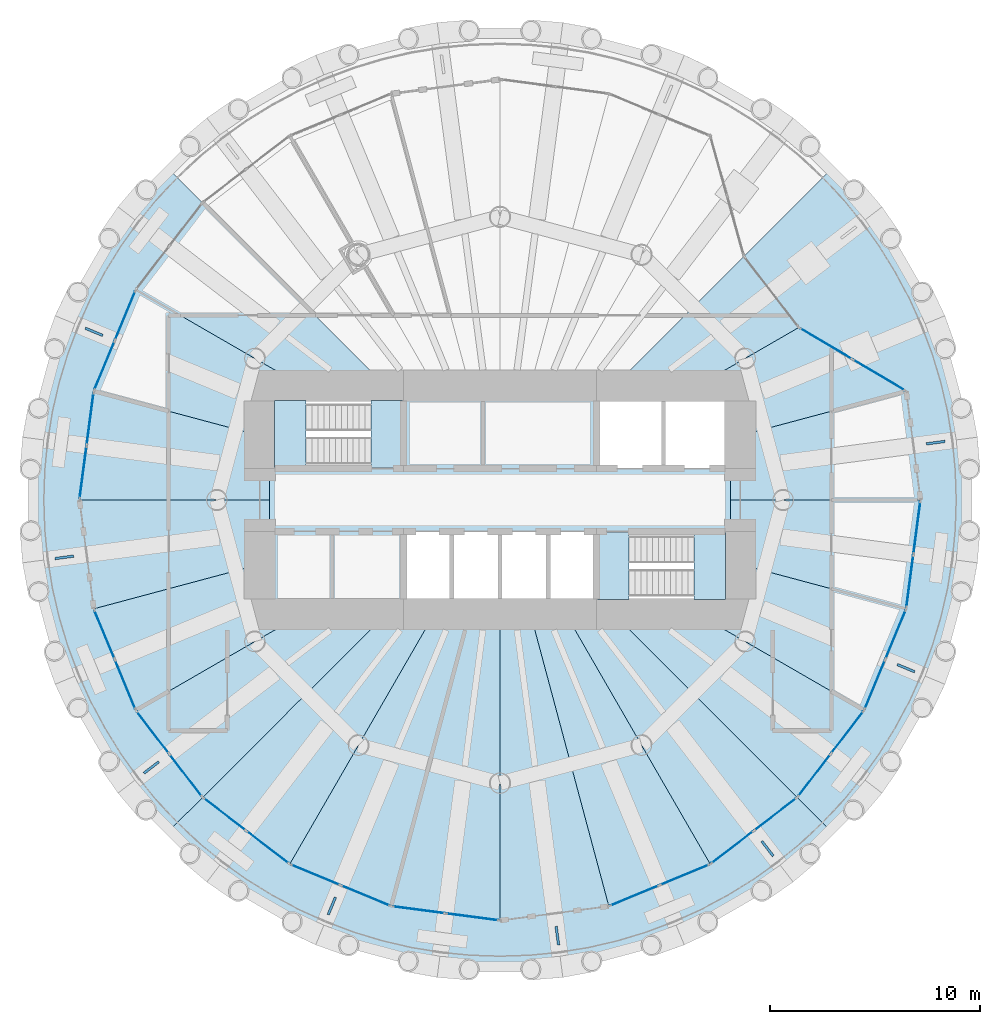
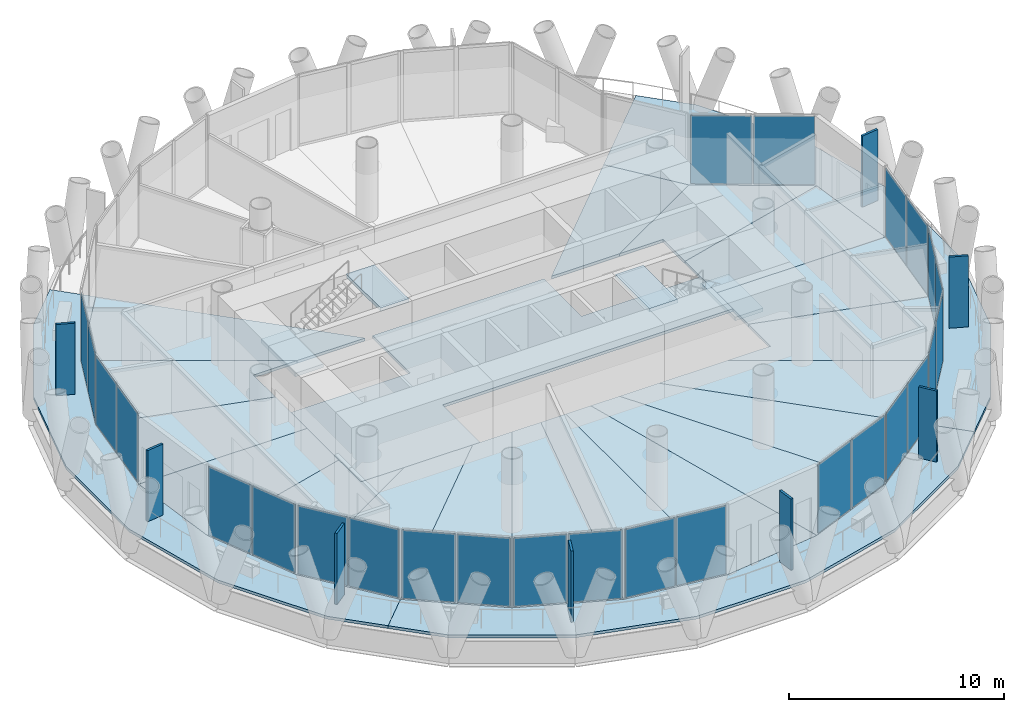
# One storey, part 7 of 14: 34 plates, 26 slabs, 15 elements without a shape of their own.
"""IFC4 building model written with IfcOpenShell, lengths in metres."""

from ifc_helpers import new_model, si_unit, direction, frame, origin, origin_2d, place, context, subcontext, project, spatial, polyline, rectangle, outline, extrude, material, layer, layer_set, type_object, element, aggregate, save


model = new_model("IFC4")

# Units and contexts
model_context = context("Model", 3, precision=1e-05, world=origin(), true_north=direction((0.0, 1.0)))
body_context = subcontext(model_context, "Body", "Model", "MODEL_VIEW")
ifc_project = project(units=[si_unit("LENGTHUNIT", "METRE"), si_unit("AREAUNIT", "SQUARE_METRE"), si_unit("VOLUMEUNIT", "CUBIC_METRE"), si_unit("PLANEANGLEUNIT", "RADIAN"), si_unit("MASSUNIT", "GRAM", prefix="KILO")], contexts=[model_context])

# Site, building, storey
site_placement = place(None, origin())
site = spatial("IfcSite", under=ifc_project, at=site_placement, CompositionType="ELEMENT")
building_placement = place(site_placement, origin())
building = spatial("IfcBuilding", under=site, at=building_placement, Name="Qaws Media Tower", CompositionType="ELEMENT")
storey_placement = place(building_placement, frame((0.0, 0.0, 236.0)))
storey = spatial("IfcBuildingStorey", under=building, at=storey_placement, Name="L54", CompositionType="ELEMENT", Elevation=236.0)

# Slabs
ifc_material_1 = material(Name="Concrete C35/45", Category="concrete")
ifc_layer_1 = layer(ifc_material_1, 0.159912109375)
ifc_layer_set_1 = layer_set([ifc_layer_1], Name="Composite balcony slab 160")
slab_type_1 = type_object("IfcSlabType", Name="Composite balcony slab 160", PredefinedType="FLOOR", material=ifc_layer_set_1)
slab_1_placement = place(storey_placement, frame((0.0, 0.0, -0.159912109375)))
element("IfcSlab", 1, at=slab_1_placement, inside=storey, type_object=slab_type_1, Name="S2 balcony slab L54 R10 to R16, movement joints on R10 and R16", PredefinedType="FLOOR", context=body_context, shape_type="SweptSolid", body=[
    extrude(outline(polyline([(42.189208984375, 36.333251953125), (39.2587890625, 41.40869140625), (37.7421875, 47.069580078125), (37.7421875, 52.930419921875), (39.2587890625, 58.59130859375), (42.189208984375, 63.666748046875), (44.26123046875, 65.73876953125), (45.822509765625, 64.177490234375), (42.63623046875, 60.02490234375), (40.63330078125, 55.189208984375), (39.949951171875, 50.0), (40.63330078125, 44.810791015625), (42.63623046875, 39.97509765625), (45.822509765625, 35.822509765625), (44.26123046875, 34.26123046875), (42.189208984375, 36.333251953125)])), origin(), (0.0, 0.0, 1.0), 0.159912109375),
])
slab_2_placement = place(storey_placement, frame((0.0, 0.0, -0.159912109375)))
element("IfcSlab", 2, at=slab_2_placement, inside=storey, type_object=slab_type_1, Name="S2 balcony slab L54 R16 to R22, movement joints on R16 and R22", PredefinedType="FLOOR", context=body_context, shape_type="SweptSolid", body=[
    extrude(outline(polyline([(73.666748046875, 32.189208984375), (68.59130859375, 29.2587890625), (62.930419921875, 27.7421875), (57.069580078125, 27.7421875), (51.40869140625, 29.2587890625), (46.333251953125, 32.189208984375), (44.26123046875, 34.26123046875), (45.822509765625, 35.822509765625), (49.97509765625, 32.63623046875), (54.810791015625, 30.63330078125), (60.0, 29.949951171875), (65.189208984375, 30.63330078125), (70.02490234375, 32.63623046875), (74.177490234375, 35.822509765625), (75.73876953125, 34.26123046875), (73.666748046875, 32.189208984375)])), origin(), (0.0, 0.0, 1.0), 0.159912109375),
])
slab_3_placement = place(storey_placement, frame((0.0, 0.0, -0.159912109375)))
element("IfcSlab", 3, at=slab_3_placement, inside=storey, type_object=slab_type_1, Name="S2 balcony slab L54 R22 to R04, movement joints on R22 and R04", PredefinedType="FLOOR", context=body_context, shape_type="SweptSolid", body=[
    extrude(outline(polyline([(80.7412109375, 41.40869140625), (77.810791015625, 36.333251953125), (75.73876953125, 34.26123046875), (74.177490234375, 35.822509765625), (77.36376953125, 39.97509765625), (79.36669921875, 44.810791015625), (80.050048828125, 50.0), (79.36669921875, 55.189208984375), (74.24609375, 58.22509765625), (71.6318359375, 61.6318359375), (75.73876953125, 65.73876953125), (77.810791015625, 63.666748046875), (80.7412109375, 58.59130859375), (82.2578125, 52.930419921875), (82.2578125, 47.069580078125), (80.7412109375, 41.40869140625)])), origin(), (0.0, 0.0, 1.0), 0.159912109375),
])
ifc_material_2 = material(Name="Concrete C35/45", Category="concrete")
ifc_layer_2 = layer(ifc_material_2, 0.159912109375)
ifc_layer_set_2 = layer_set([ifc_layer_2], Name="Composite floor slab 160")
slab_type_2 = type_object("IfcSlabType", Name="Composite floor slab 160", PredefinedType="FLOOR", material=ifc_layer_set_2)
slab_4_placement = place(storey_placement, frame((0.0, 0.0, -0.159912109375)))
element("IfcSlab", 4, at=slab_4_placement, inside=storey, type_object=slab_type_2, Name="S1 core floor slab L54", PredefinedType="FLOOR", context=body_context, shape_type="SweptSolid", body=[
    extrude(outline(polyline([(71.0, 51.5), (71.0, 48.5), (55.39990234375, 48.5), (55.39990234375, 45.0), (49.0, 45.0), (49.0, 51.5), (55.39990234375, 51.5), (55.39990234375, 55.0), (64.60009765625, 55.0), (64.60009765625, 51.5), (71.0, 51.5)])), origin(), (0.0, 0.0, 1.0), 0.159912109375),
])
slab_5_placement = place(storey_placement, frame((0.0, 0.0, -0.159912109375)))
element("IfcSlab", 5, at=slab_5_placement, inside=storey, type_object=slab_type_2, Name="S1 floor panel L54 on R01+7.5", PredefinedType="FLOOR", context=body_context, shape_type="SweptSolid", body=[
    extrude(outline(polyline([(79.36669921875, 55.189208984375), (80.050048828125, 50.0), (71.0, 50.0), (71.0, 52.947509765625), (79.36669921875, 55.189208984375)])), origin(), (0.0, 0.0, 1.0), 0.159912109375),
])
slab_6_placement = place(storey_placement, frame((0.0, 0.0, -0.159912109375)))
element("IfcSlab", 6, at=slab_6_placement, inside=storey, type_object=slab_type_2, Name="S1 floor panel L54 on R02+7.5", PredefinedType="FLOOR", context=body_context, shape_type="SweptSolid", body=[
    extrude(outline(polyline([(74.24609375, 58.22509765625), (79.36669921875, 55.189208984375), (71.0, 52.947509765625), (71.0, 55.0), (68.660400390625, 55.0), (74.24609375, 58.22509765625)])), origin(), (0.0, 0.0, 1.0), 0.159912109375),
])
slab_7_placement = place(storey_placement, frame((0.0, 0.0, -0.159912109375)))
element("IfcSlab", 7, at=slab_7_placement, inside=storey, type_object=slab_type_2, Name="S1 floor panel L54 on R03+7.5", PredefinedType="FLOOR", context=body_context, shape_type="SweptSolid", body=[
    extrude(outline(polyline([(74.24609375, 58.22509765625), (68.660400390625, 55.0), (65.0, 55.0), (71.6318359375, 61.6318359375), (74.24609375, 58.22509765625)])), origin(), (0.0, 0.0, 1.0), 0.159912109375),
])
slab_8_placement = place(storey_placement, frame((0.0, 0.0, -0.159912109375)))
element("IfcSlab", 8, at=slab_8_placement, inside=storey, type_object=slab_type_2, Name="S1 floor panel L54 on R10+7.5", PredefinedType="FLOOR", context=body_context, shape_type="SweptSolid", body=[
    extrude(outline(polyline([(42.63623046875, 60.02490234375), (45.822509765625, 64.177490234375), (55.0, 55.0), (51.339599609375, 55.0), (42.63623046875, 60.02490234375)])), origin(), (0.0, 0.0, 1.0), 0.159912109375),
])
slab_9_placement = place(storey_placement, frame((0.0, 0.0, -0.159912109375)))
element("IfcSlab", 9, at=slab_9_placement, inside=storey, type_object=slab_type_2, Name="S1 floor panel L54 on R11+7.5", PredefinedType="FLOOR", context=body_context, shape_type="SweptSolid", body=[
    extrude(outline(polyline([(42.63623046875, 60.02490234375), (51.339599609375, 55.0), (49.0, 55.0), (49.0, 52.947509765625), (40.63330078125, 55.189208984375), (42.63623046875, 60.02490234375)])), origin(), (0.0, 0.0, 1.0), 0.159912109375),
])
slab_10_placement = place(storey_placement, frame((0.0, 0.0, -0.159912109375)))
element("IfcSlab", 10, at=slab_10_placement, inside=storey, type_object=slab_type_2, Name="S1 floor panel L54 on R12+7.5", PredefinedType="FLOOR", context=body_context, shape_type="SweptSolid", body=[
    extrude(outline(polyline([(40.63330078125, 55.189208984375), (49.0, 52.947509765625), (49.0, 50.0), (39.949951171875, 50.0), (40.63330078125, 55.189208984375)])), origin(), (0.0, 0.0, 1.0), 0.159912109375),
])
slab_11_placement = place(storey_placement, frame((0.0, 0.0, -0.159912109375)))
element("IfcSlab", 11, at=slab_11_placement, inside=storey, type_object=slab_type_2, Name="S1 floor panel L54 on R13+7.5", PredefinedType="FLOOR", context=body_context, shape_type="SweptSolid", body=[
    extrude(outline(polyline([(40.63330078125, 44.810791015625), (39.949951171875, 50.0), (49.0, 50.0), (49.0, 47.052490234375), (40.63330078125, 44.810791015625)])), origin(), (0.0, 0.0, 1.0), 0.159912109375),
])
slab_12_placement = place(storey_placement, frame((0.0, 0.0, -0.159912109375)))
element("IfcSlab", 12, at=slab_12_placement, inside=storey, type_object=slab_type_2, Name="S1 floor panel L54 on R14+7.5", PredefinedType="FLOOR", context=body_context, shape_type="SweptSolid", body=[
    extrude(outline(polyline([(40.63330078125, 44.810791015625), (49.0, 47.052490234375), (49.0, 45.0), (51.339599609375, 45.0), (42.63623046875, 39.97509765625), (40.63330078125, 44.810791015625)])), origin(), (0.0, 0.0, 1.0), 0.159912109375),
])
slab_13_placement = place(storey_placement, frame((0.0, 0.0, -0.159912109375)))
element("IfcSlab", 13, at=slab_13_placement, inside=storey, type_object=slab_type_2, Name="S1 floor panel L54 on R15+7.5", PredefinedType="FLOOR", context=body_context, shape_type="SweptSolid", body=[
    extrude(outline(polyline([(42.63623046875, 39.97509765625), (51.339599609375, 45.0), (55.0, 45.0), (45.822509765625, 35.822509765625), (42.63623046875, 39.97509765625)])), origin(), (0.0, 0.0, 1.0), 0.159912109375),
])
slab_14_placement = place(storey_placement, frame((0.0, 0.0, -0.159912109375)))
element("IfcSlab", 14, at=slab_14_placement, inside=storey, type_object=slab_type_2, Name="S1 floor panel L54 on R16+7.5", PredefinedType="FLOOR", context=body_context, shape_type="SweptSolid", body=[
    extrude(outline(polyline([(49.97509765625, 32.63623046875), (45.822509765625, 35.822509765625), (55.0, 45.0), (57.11328125, 45.0), (49.97509765625, 32.63623046875)])), origin(), (0.0, 0.0, 1.0), 0.159912109375),
])
slab_15_placement = place(storey_placement, frame((0.0, 0.0, -0.159912109375)))
element("IfcSlab", 15, at=slab_15_placement, inside=storey, type_object=slab_type_2, Name="S1 floor panel L54 on R17+7.5", PredefinedType="FLOOR", context=body_context, shape_type="SweptSolid", body=[
    extrude(outline(polyline([(49.97509765625, 32.63623046875), (57.11328125, 45.0), (58.660400390625, 45.0), (54.810791015625, 30.63330078125), (49.97509765625, 32.63623046875)])), origin(), (0.0, 0.0, 1.0), 0.159912109375),
])
slab_16_placement = place(storey_placement, frame((0.0, 0.0, -0.159912109375)))
element("IfcSlab", 16, at=slab_16_placement, inside=storey, type_object=slab_type_2, Name="S1 floor panel L54 on R18+7.5", PredefinedType="FLOOR", context=body_context, shape_type="SweptSolid", body=[
    extrude(outline(polyline([(54.810791015625, 30.63330078125), (58.660400390625, 45.0), (60.0, 45.0), (60.0, 29.949951171875), (54.810791015625, 30.63330078125)])), origin(), (0.0, 0.0, 1.0), 0.159912109375),
])
slab_17_placement = place(storey_placement, frame((0.0, 0.0, -0.159912109375)))
element("IfcSlab", 17, at=slab_17_placement, inside=storey, type_object=slab_type_2, Name="S1 floor panel L54 on R19+7.5", PredefinedType="FLOOR", context=body_context, shape_type="SweptSolid", body=[
    extrude(outline(polyline([(65.189208984375, 30.63330078125), (60.0, 29.949951171875), (60.0, 45.0), (61.339599609375, 45.0), (65.189208984375, 30.63330078125)])), origin(), (0.0, 0.0, 1.0), 0.159912109375),
])
slab_18_placement = place(storey_placement, frame((0.0, 0.0, -0.159912109375)))
element("IfcSlab", 18, at=slab_18_placement, inside=storey, type_object=slab_type_2, Name="S1 floor panel L54 on R20+7.5", PredefinedType="FLOOR", context=body_context, shape_type="SweptSolid", body=[
    extrude(outline(polyline([(65.189208984375, 30.63330078125), (61.339599609375, 45.0), (62.88671875, 45.0), (70.02490234375, 32.63623046875), (65.189208984375, 30.63330078125)])), origin(), (0.0, 0.0, 1.0), 0.159912109375),
])
slab_19_placement = place(storey_placement, frame((0.0, 0.0, -0.159912109375)))
element("IfcSlab", 19, at=slab_19_placement, inside=storey, type_object=slab_type_2, Name="S1 floor panel L54 on R21+7.5", PredefinedType="FLOOR", context=body_context, shape_type="SweptSolid", body=[
    extrude(outline(polyline([(74.177490234375, 35.822509765625), (70.02490234375, 32.63623046875), (62.88671875, 45.0), (65.0, 45.0), (74.177490234375, 35.822509765625)])), origin(), (0.0, 0.0, 1.0), 0.159912109375),
])
slab_20_placement = place(storey_placement, frame((0.0, 0.0, -0.159912109375)))
element("IfcSlab", 20, at=slab_20_placement, inside=storey, type_object=slab_type_2, Name="S1 floor panel L54 on R22+7.5", PredefinedType="FLOOR", context=body_context, shape_type="SweptSolid", body=[
    extrude(outline(polyline([(77.36376953125, 39.97509765625), (74.177490234375, 35.822509765625), (65.0, 45.0), (68.660400390625, 45.0), (77.36376953125, 39.97509765625)])), origin(), (0.0, 0.0, 1.0), 0.159912109375),
])
slab_21_placement = place(storey_placement, frame((0.0, 0.0, -0.159912109375)))
element("IfcSlab", 21, at=slab_21_placement, inside=storey, type_object=slab_type_2, Name="S1 floor panel L54 on R23+7.5", PredefinedType="FLOOR", context=body_context, shape_type="SweptSolid", body=[
    extrude(outline(polyline([(77.36376953125, 39.97509765625), (68.660400390625, 45.0), (71.0, 45.0), (71.0, 47.052490234375), (79.36669921875, 44.810791015625), (77.36376953125, 39.97509765625)])), origin(), (0.0, 0.0, 1.0), 0.159912109375),
])
slab_22_placement = place(storey_placement, frame((0.0, 0.0, -0.159912109375)))
element("IfcSlab", 22, at=slab_22_placement, inside=storey, type_object=slab_type_2, Name="S1 floor panel L54 on R24+7.5", PredefinedType="FLOOR", context=body_context, shape_type="SweptSolid", body=[
    extrude(outline(polyline([(79.36669921875, 44.810791015625), (71.0, 47.052490234375), (71.0, 50.0), (80.050048828125, 50.0), (79.36669921875, 44.810791015625)])), origin(), (0.0, 0.0, 1.0), 0.159912109375),
])

# Curtain wall, plates
ifc_material_3 = material(Name="Aluminium and clear glass", Category="aluminium")
curtain_wall_type_1 = type_object("IfcCurtainWallType", Name="Loggia curtain wall CW-G", PredefinedType="NOTDEFINED", material=ifc_material_3)
curtain_wall_1_placement = place(storey_placement, origin())
curtain_wall_1 = element("IfcCurtainWall", 23, at=curtain_wall_1_placement, inside=storey, type_object=curtain_wall_type_1, Name="CWG curtain wall L54-02", PredefinedType="NOTDEFINED")
ifc_material_4 = material(Name="Clear laminated double glazing", Category="glass")
ifc_layer_3 = layer(ifc_material_4, 0.031982421875)
ifc_layer_set_3 = layer_set([ifc_layer_3], Name="Curtain wall glass unit 32")
plate_type_1 = type_object("IfcPlateType", Name="Curtain wall glass unit 32", PredefinedType="CURTAIN_PANEL", material=ifc_layer_set_3)
plate_1_placement = place(storey_placement, frame((78.0693359375, 55.95849609375, 0.080078125), z_axis=(0.0, 0.0, 1.0), x_axis=(-0.860203694862, 0.509950589122, 0.0)))
plate_1 = element("IfcPlate", 24, at=plate_1_placement, type_object=plate_type_1, Name="CWG panel 1.1", PredefinedType="CURTAIN_PANEL", context=body_context, shape_type="SweptSolid", body=[
    extrude(rectangle(XDim=2.8564453125, YDim=0.031982421875, at=origin_2d()), origin(), (0.0, 0.0, 1.0), 3.8798828125),
])
plate_2_placement = place(storey_placement, frame((75.54345703125, 57.455810546875, 0.080078125), z_axis=(0.0, 0.0, 1.0), x_axis=(-0.860203694862, 0.509950589122, 0.0)))
plate_2 = element("IfcPlate", 25, at=plate_2_placement, type_object=plate_type_1, Name="CWG panel 2.1", PredefinedType="CURTAIN_PANEL", context=body_context, shape_type="SweptSolid", body=[
    extrude(rectangle(XDim=2.8564453125, YDim=0.031982421875, at=origin_2d()), origin(), (0.0, 0.0, 1.0), 3.8798828125),
])
aggregate(curtain_wall_1, [plate_1, plate_2])

ifc_material_5 = material(Name="Aluminium and clear glass", Category="aluminium")
curtain_wall_type_2 = type_object("IfcCurtainWallType", Name="Unitised curtain wall CW-C", PredefinedType="NOTDEFINED", material=ifc_material_5)
curtain_wall_2_placement = place(storey_placement, origin())
curtain_wall_2 = element("IfcCurtainWall", 26, at=curtain_wall_2_placement, inside=storey, type_object=curtain_wall_type_2, Name="CWC curtain wall L54-11", PredefinedType="NOTDEFINED")
plate_3_placement = place(storey_placement, frame((42.127685546875, 58.797607421875, 0.080078125), z_axis=(0.0, 0.0, 1.0), x_axis=(-0.382683528436, -0.923879492717, 0.0)))
plate_3 = element("IfcPlate", 27, at=plate_3_placement, type_object=plate_type_1, Name="CWC panel 1.1", PredefinedType="CURTAIN_PANEL", context=body_context, shape_type="SweptSolid", body=[
    extrude(rectangle(XDim=2.4970703125, YDim=0.031982421875, at=origin_2d()), origin(), (0.0, 0.0, 1.0), 3.8798828125),
])
plate_4_placement = place(storey_placement, frame((41.1416015625, 56.416748046875, 0.080078125), z_axis=(0.0, 0.0, 1.0), x_axis=(-0.382683528436, -0.923879492717, 0.0)))
plate_4 = element("IfcPlate", 28, at=plate_4_placement, type_object=plate_type_1, Name="CWC panel 2.1", PredefinedType="CURTAIN_PANEL", context=body_context, shape_type="SweptSolid", body=[
    extrude(rectangle(XDim=2.4970703125, YDim=0.031982421875, at=origin_2d()), origin(), (0.0, 0.0, 1.0), 3.8798828125),
])
aggregate(curtain_wall_2, [plate_3, plate_4])

curtain_wall_3_placement = place(storey_placement, origin())
curtain_wall_3 = element("IfcCurtainWall", 29, at=curtain_wall_3_placement, inside=storey, type_object=curtain_wall_type_2, Name="CWC curtain wall L54-12", PredefinedType="NOTDEFINED")
plate_5_placement = place(storey_placement, frame((40.459716796875, 53.8720703125, 0.080078125), z_axis=(0.0, 0.0, 1.0), x_axis=(-0.130526154272, -0.99144486637, 0.0)))
plate_5 = element("IfcPlate", 30, at=plate_5_placement, type_object=plate_type_1, Name="CWC panel 1.1", PredefinedType="CURTAIN_PANEL", context=body_context, shape_type="SweptSolid", body=[
    extrude(rectangle(XDim=2.4970703125, YDim=0.031982421875, at=origin_2d()), origin(), (0.0, 0.0, 1.0), 3.8798828125),
])
plate_6_placement = place(storey_placement, frame((40.123291015625, 51.317138671875, 0.080078125), z_axis=(0.0, 0.0, 1.0), x_axis=(-0.130526154272, -0.99144486637, 0.0)))
plate_6 = element("IfcPlate", 31, at=plate_6_placement, type_object=plate_type_1, Name="CWC panel 2.1", PredefinedType="CURTAIN_PANEL", context=body_context, shape_type="SweptSolid", body=[
    extrude(rectangle(XDim=2.4970703125, YDim=0.031982421875, at=origin_2d()), origin(), (0.0, 0.0, 1.0), 3.8798828125),
])
aggregate(curtain_wall_3, [plate_5, plate_6])

curtain_wall_4_placement = place(storey_placement, origin())
curtain_wall_4 = element("IfcCurtainWall", 32, at=curtain_wall_4_placement, inside=storey, type_object=curtain_wall_type_2, Name="CWC curtain wall L54-14", PredefinedType="NOTDEFINED")
plate_7_placement = place(storey_placement, frame((41.1416015625, 43.583251953125, 0.080078125), z_axis=(0.0, 0.0, 1.0), x_axis=(0.382683528436, -0.923879492717, 0.0)))
plate_7 = element("IfcPlate", 33, at=plate_7_placement, type_object=plate_type_1, Name="CWC panel 1.1", PredefinedType="CURTAIN_PANEL", context=body_context, shape_type="SweptSolid", body=[
    extrude(rectangle(XDim=2.4970703125, YDim=0.031982421875, at=origin_2d()), origin(), (0.0, 0.0, 1.0), 3.8798828125),
])
plate_8_placement = place(storey_placement, frame((42.127685546875, 41.202392578125, 0.080078125), z_axis=(0.0, 0.0, 1.0), x_axis=(0.382683528436, -0.923879492717, 0.0)))
plate_8 = element("IfcPlate", 34, at=plate_8_placement, type_object=plate_type_1, Name="CWC panel 2.1", PredefinedType="CURTAIN_PANEL", context=body_context, shape_type="SweptSolid", body=[
    extrude(rectangle(XDim=2.4970703125, YDim=0.031982421875, at=origin_2d()), origin(), (0.0, 0.0, 1.0), 3.8798828125),
])
aggregate(curtain_wall_4, [plate_7, plate_8])

curtain_wall_5_placement = place(storey_placement, origin())
curtain_wall_5 = element("IfcCurtainWall", 35, at=curtain_wall_5_placement, inside=storey, type_object=curtain_wall_type_2, Name="CWC curtain wall L54-15", PredefinedType="NOTDEFINED")
plate_9_placement = place(storey_placement, frame((43.44482421875, 38.9208984375, 0.080078125), z_axis=(0.0, 0.0, 1.0), x_axis=(0.608761379507, -0.793353378275, 0.0)))
plate_9 = element("IfcPlate", 36, at=plate_9_placement, type_object=plate_type_1, Name="CWC panel 1.1", PredefinedType="CURTAIN_PANEL", context=body_context, shape_type="SweptSolid", body=[
    extrude(rectangle(XDim=2.4970703125, YDim=0.031982421875, at=origin_2d()), origin(), (0.0, 0.0, 1.0), 3.8798828125),
])
plate_10_placement = place(storey_placement, frame((45.013671875, 36.87646484375, 0.080078125), z_axis=(0.0, 0.0, 1.0), x_axis=(0.608761379507, -0.793353378275, 0.0)))
plate_10 = element("IfcPlate", 37, at=plate_10_placement, type_object=plate_type_1, Name="CWC panel 2.1", PredefinedType="CURTAIN_PANEL", context=body_context, shape_type="SweptSolid", body=[
    extrude(rectangle(XDim=2.4970703125, YDim=0.031982421875, at=origin_2d()), origin(), (0.0, 0.0, 1.0), 3.8798828125),
])
aggregate(curtain_wall_5, [plate_9, plate_10])

curtain_wall_6_placement = place(storey_placement, origin())
curtain_wall_6 = element("IfcCurtainWall", 38, at=curtain_wall_6_placement, inside=storey, type_object=curtain_wall_type_2, Name="CWC curtain wall L54-16", PredefinedType="NOTDEFINED")
plate_11_placement = place(storey_placement, frame((46.87646484375, 35.013671875, 0.080078125), z_axis=(0.0, 0.0, 1.0), x_axis=(0.793353378275, -0.608761379507, 0.0)))
plate_11 = element("IfcPlate", 39, at=plate_11_placement, type_object=plate_type_1, Name="CWC panel 1.1", PredefinedType="CURTAIN_PANEL", context=body_context, shape_type="SweptSolid", body=[
    extrude(rectangle(XDim=2.4970703125, YDim=0.031982421875, at=origin_2d()), origin(), (0.0, 0.0, 1.0), 3.8798828125),
])
plate_12_placement = place(storey_placement, frame((48.9208984375, 33.44482421875, 0.080078125), z_axis=(0.0, 0.0, 1.0), x_axis=(0.793353378275, -0.608761379507, 0.0)))
plate_12 = element("IfcPlate", 40, at=plate_12_placement, type_object=plate_type_1, Name="CWC panel 2.1", PredefinedType="CURTAIN_PANEL", context=body_context, shape_type="SweptSolid", body=[
    extrude(rectangle(XDim=2.4970703125, YDim=0.031982421875, at=origin_2d()), origin(), (0.0, 0.0, 1.0), 3.8798828125),
])
aggregate(curtain_wall_6, [plate_11, plate_12])

curtain_wall_7_placement = place(storey_placement, origin())
curtain_wall_7 = element("IfcCurtainWall", 41, at=curtain_wall_7_placement, inside=storey, type_object=curtain_wall_type_2, Name="CWC curtain wall L54-17", PredefinedType="NOTDEFINED")
plate_13_placement = place(storey_placement, frame((51.202392578125, 32.127685546875, 0.080078125), z_axis=(0.0, 0.0, 1.0), x_axis=(0.923879492717, -0.382683528436, 0.0)))
plate_13 = element("IfcPlate", 42, at=plate_13_placement, type_object=plate_type_1, Name="CWC panel 1.1", PredefinedType="CURTAIN_PANEL", context=body_context, shape_type="SweptSolid", body=[
    extrude(rectangle(XDim=2.4970703125, YDim=0.031982421875, at=origin_2d()), origin(), (0.0, 0.0, 1.0), 3.8798828125),
])
plate_14_placement = place(storey_placement, frame((53.583251953125, 31.1416015625, 0.080078125), z_axis=(0.0, 0.0, 1.0), x_axis=(0.923879492717, -0.382683528436, 0.0)))
plate_14 = element("IfcPlate", 43, at=plate_14_placement, type_object=plate_type_1, Name="CWC panel 2.1", PredefinedType="CURTAIN_PANEL", context=body_context, shape_type="SweptSolid", body=[
    extrude(rectangle(XDim=2.4970703125, YDim=0.031982421875, at=origin_2d()), origin(), (0.0, 0.0, 1.0), 3.8798828125),
])
aggregate(curtain_wall_7, [plate_13, plate_14])

curtain_wall_8_placement = place(storey_placement, origin())
curtain_wall_8 = element("IfcCurtainWall", 44, at=curtain_wall_8_placement, inside=storey, type_object=curtain_wall_type_2, Name="CWC curtain wall L54-18", PredefinedType="NOTDEFINED")
plate_15_placement = place(storey_placement, frame((56.1279296875, 30.459716796875, 0.080078125), z_axis=(0.0, 0.0, 1.0), x_axis=(0.99144486637, -0.130526154272, 0.0)))
plate_15 = element("IfcPlate", 45, at=plate_15_placement, type_object=plate_type_1, Name="CWC panel 1.1", PredefinedType="CURTAIN_PANEL", context=body_context, shape_type="SweptSolid", body=[
    extrude(rectangle(XDim=2.4970703125, YDim=0.031982421875, at=origin_2d()), origin(), (0.0, 0.0, 1.0), 3.8798828125),
])
plate_16_placement = place(storey_placement, frame((58.682861328125, 30.123291015625, 0.080078125), z_axis=(0.0, 0.0, 1.0), x_axis=(0.99144486637, -0.130526154272, 0.0)))
plate_16 = element("IfcPlate", 46, at=plate_16_placement, type_object=plate_type_1, Name="CWC panel 2.1", PredefinedType="CURTAIN_PANEL", context=body_context, shape_type="SweptSolid", body=[
    extrude(rectangle(XDim=2.4970703125, YDim=0.031982421875, at=origin_2d()), origin(), (0.0, 0.0, 1.0), 3.8798828125),
])
aggregate(curtain_wall_8, [plate_15, plate_16])

curtain_wall_9_placement = place(storey_placement, origin())
curtain_wall_9 = element("IfcCurtainWall", 47, at=curtain_wall_9_placement, inside=storey, type_object=curtain_wall_type_2, Name="CWC curtain wall L54-20", PredefinedType="NOTDEFINED")
plate_17_placement = place(storey_placement, frame((66.416748046875, 31.1416015625, 0.080078125), z_axis=(0.0, 0.0, 1.0), x_axis=(0.923879492717, 0.382683528436, 0.0)))
plate_17 = element("IfcPlate", 48, at=plate_17_placement, type_object=plate_type_1, Name="CWC panel 1.1", PredefinedType="CURTAIN_PANEL", context=body_context, shape_type="SweptSolid", body=[
    extrude(rectangle(XDim=2.4970703125, YDim=0.031982421875, at=origin_2d()), origin(), (0.0, 0.0, 1.0), 3.8798828125),
])
plate_18_placement = place(storey_placement, frame((68.797607421875, 32.127685546875, 0.080078125), z_axis=(0.0, 0.0, 1.0), x_axis=(0.923879492717, 0.382683528436, 0.0)))
plate_18 = element("IfcPlate", 49, at=plate_18_placement, type_object=plate_type_1, Name="CWC panel 2.1", PredefinedType="CURTAIN_PANEL", context=body_context, shape_type="SweptSolid", body=[
    extrude(rectangle(XDim=2.4970703125, YDim=0.031982421875, at=origin_2d()), origin(), (0.0, 0.0, 1.0), 3.8798828125),
])
aggregate(curtain_wall_9, [plate_17, plate_18])

curtain_wall_10_placement = place(storey_placement, origin())
curtain_wall_10 = element("IfcCurtainWall", 50, at=curtain_wall_10_placement, inside=storey, type_object=curtain_wall_type_2, Name="CWC curtain wall L54-21", PredefinedType="NOTDEFINED")
plate_19_placement = place(storey_placement, frame((71.0791015625, 33.44482421875, 0.080078125), z_axis=(0.0, 0.0, 1.0), x_axis=(0.793353378275, 0.608761379507, 0.0)))
plate_19 = element("IfcPlate", 51, at=plate_19_placement, type_object=plate_type_1, Name="CWC panel 1.1", PredefinedType="CURTAIN_PANEL", context=body_context, shape_type="SweptSolid", body=[
    extrude(rectangle(XDim=2.4970703125, YDim=0.031982421875, at=origin_2d()), origin(), (0.0, 0.0, 1.0), 3.8798828125),
])
plate_20_placement = place(storey_placement, frame((73.12353515625, 35.013671875, 0.080078125), z_axis=(0.0, 0.0, 1.0), x_axis=(0.793353378275, 0.608761379507, 0.0)))
plate_20 = element("IfcPlate", 52, at=plate_20_placement, type_object=plate_type_1, Name="CWC panel 2.1", PredefinedType="CURTAIN_PANEL", context=body_context, shape_type="SweptSolid", body=[
    extrude(rectangle(XDim=2.4970703125, YDim=0.031982421875, at=origin_2d()), origin(), (0.0, 0.0, 1.0), 3.8798828125),
])
aggregate(curtain_wall_10, [plate_19, plate_20])

curtain_wall_11_placement = place(storey_placement, origin())
curtain_wall_11 = element("IfcCurtainWall", 53, at=curtain_wall_11_placement, inside=storey, type_object=curtain_wall_type_2, Name="CWC curtain wall L54-22", PredefinedType="NOTDEFINED")
plate_21_placement = place(storey_placement, frame((74.986328125, 36.87646484375, 0.080078125), z_axis=(0.0, 0.0, 1.0), x_axis=(0.608761379507, 0.793353378275, 0.0)))
plate_21 = element("IfcPlate", 54, at=plate_21_placement, type_object=plate_type_1, Name="CWC panel 1.1", PredefinedType="CURTAIN_PANEL", context=body_context, shape_type="SweptSolid", body=[
    extrude(rectangle(XDim=2.4970703125, YDim=0.031982421875, at=origin_2d()), origin(), (0.0, 0.0, 1.0), 3.8798828125),
])
plate_22_placement = place(storey_placement, frame((76.55517578125, 38.9208984375, 0.080078125), z_axis=(0.0, 0.0, 1.0), x_axis=(0.608761379507, 0.793353378275, 0.0)))
plate_22 = element("IfcPlate", 55, at=plate_22_placement, type_object=plate_type_1, Name="CWC panel 2.1", PredefinedType="CURTAIN_PANEL", context=body_context, shape_type="SweptSolid", body=[
    extrude(rectangle(XDim=2.4970703125, YDim=0.031982421875, at=origin_2d()), origin(), (0.0, 0.0, 1.0), 3.8798828125),
])
aggregate(curtain_wall_11, [plate_21, plate_22])

curtain_wall_12_placement = place(storey_placement, origin())
curtain_wall_12 = element("IfcCurtainWall", 56, at=curtain_wall_12_placement, inside=storey, type_object=curtain_wall_type_2, Name="CWC curtain wall L54-23", PredefinedType="NOTDEFINED")
plate_23_placement = place(storey_placement, frame((77.872314453125, 41.202392578125, 0.080078125), z_axis=(0.0, 0.0, 1.0), x_axis=(0.382683528436, 0.923879492717, 0.0)))
plate_23 = element("IfcPlate", 57, at=plate_23_placement, type_object=plate_type_1, Name="CWC panel 1.1", PredefinedType="CURTAIN_PANEL", context=body_context, shape_type="SweptSolid", body=[
    extrude(rectangle(XDim=2.4970703125, YDim=0.031982421875, at=origin_2d()), origin(), (0.0, 0.0, 1.0), 3.8798828125),
])
plate_24_placement = place(storey_placement, frame((78.8583984375, 43.583251953125, 0.080078125), z_axis=(0.0, 0.0, 1.0), x_axis=(0.382683528436, 0.923879492717, 0.0)))
plate_24 = element("IfcPlate", 58, at=plate_24_placement, type_object=plate_type_1, Name="CWC panel 2.1", PredefinedType="CURTAIN_PANEL", context=body_context, shape_type="SweptSolid", body=[
    extrude(rectangle(XDim=2.4970703125, YDim=0.031982421875, at=origin_2d()), origin(), (0.0, 0.0, 1.0), 3.8798828125),
])
aggregate(curtain_wall_12, [plate_23, plate_24])

curtain_wall_13_placement = place(storey_placement, origin())
curtain_wall_13 = element("IfcCurtainWall", 59, at=curtain_wall_13_placement, inside=storey, type_object=curtain_wall_type_2, Name="CWC curtain wall L54-24", PredefinedType="NOTDEFINED")
plate_25_placement = place(storey_placement, frame((79.540283203125, 46.1279296875, 0.080078125), z_axis=(0.0, 0.0, 1.0), x_axis=(0.130526154272, 0.99144486637, 0.0)))
plate_25 = element("IfcPlate", 60, at=plate_25_placement, type_object=plate_type_1, Name="CWC panel 1.1", PredefinedType="CURTAIN_PANEL", context=body_context, shape_type="SweptSolid", body=[
    extrude(rectangle(XDim=2.4970703125, YDim=0.031982421875, at=origin_2d()), origin(), (0.0, 0.0, 1.0), 3.8798828125),
])
plate_26_placement = place(storey_placement, frame((79.876708984375, 48.682861328125, 0.080078125), z_axis=(0.0, 0.0, 1.0), x_axis=(0.130526154272, 0.99144486637, 0.0)))
plate_26 = element("IfcPlate", 61, at=plate_26_placement, type_object=plate_type_1, Name="CWC panel 2.1", PredefinedType="CURTAIN_PANEL", context=body_context, shape_type="SweptSolid", body=[
    extrude(rectangle(XDim=2.4970703125, YDim=0.031982421875, at=origin_2d()), origin(), (0.0, 0.0, 1.0), 3.8798828125),
])
aggregate(curtain_wall_13, [plate_25, plate_26])

# Plates
ifc_material_6 = material(Name="Precast concrete screen fin", Category="concrete")
ifc_layer_4 = layer(ifc_material_6, 0.1201171875)
ifc_layer_set_4 = layer_set([ifc_layer_4], Name="Screen fin 120x900")
plate_type_2 = type_object("IfcPlateType", Name="Screen fin 120x900", PredefinedType="USERDEFINED", material=ifc_layer_set_4)
for number, where, z_axis, x_axis, name in (
    (62, (80.770751953125, 52.734619140625, 0.0), (0.0, 0.0, 1.0), (0.991444861374, 0.13052619222, 0.0), "SCR1 screen fin L54-01"),
    (63, (40.644775390625, 58.017333984375, 0.0), (0.0, 0.0, 1.0), (-0.923879532511, 0.382683432365, 0.0), "SCR1 screen fin L54-06"),
    (64, (39.229248046875, 47.265380859375, 0.0), (0.0, 0.0, 1.0), (-0.991444861374, -0.13052619222, 0.0), "SCR1 screen fin L54-07"),
    (65, (43.379150390625, 37.246337890625, 0.0), (0.0, 0.0, 1.0), (-0.793353340291, -0.608761429009, 0.0), "SCR1 screen fin L54-08"),
    (66, (51.982666015625, 30.644775390625, 0.0), (0.0, 0.0, 1.0), (-0.382683432365, -0.923879532511, 0.0), "SCR1 screen fin L54-09"),
    (67, (62.734619140625, 29.229248046875, 0.0), (0.0, 0.0, 1.0), (0.13052619222, -0.991444861374, 0.0), "SCR1 screen fin L54-10"),
    (68, (72.753662109375, 33.379150390625, 0.0), (0.0, 0.0, 1.0), (0.608761429009, -0.793353340291, 0.0), "SCR1 screen fin L54-11"),
    (69, (79.355224609375, 41.982666015625, 0.0), (0.0, 0.0, 1.0), (0.923879532511, -0.382683432365, 0.0), "SCR1 screen fin L54-12"),
):
    element("IfcPlate", number, at=place(storey_placement, frame(where, z_axis=z_axis, x_axis=x_axis)), inside=storey, type_object=plate_type_2, Name=name, ObjectType="SCREEN", PredefinedType="USERDEFINED", context=body_context, shape_type="SweptSolid", body=[
        extrude(rectangle(XDim=0.89990234375, YDim=0.1201171875, at=origin_2d()), origin(), (0.0, 0.0, 1.0), 4.0400390625),
    ])

# Stair, slabs
ifc_material_7 = material(Name="Concrete C40/50", Category="concrete")
stair_type = type_object("IfcStairType", Name="Exit stair", PredefinedType="HALF_TURN_STAIR", material=ifc_material_7)
stair_1_placement = place(storey_placement, origin())
stair_1 = element("IfcStair", 70, at=stair_1_placement, inside=storey, type_object=stair_type, Name="S1 exit stair L54", PredefinedType="HALF_TURN_STAIR")
ifc_material_8 = material(Name="Concrete C40/50", Category="concrete")
ifc_layer_5 = layer(ifc_material_8, 0.199951171875)
ifc_layer_set_5 = layer_set([ifc_layer_5], Name="Stair landing 200")
slab_type_3 = type_object("IfcSlabType", Name="Stair landing 200", PredefinedType="LANDING", material=ifc_layer_set_5)
slab_23_placement = place(storey_placement, frame((0.0, 0.0, 1.89990234375)))
slab_23 = element("IfcSlab", 71, at=slab_23_placement, type_object=slab_type_3, Name="S1 landing 1", PredefinedType="LANDING", context=body_context, shape_type="SweptSolid", body=[
    extrude(outline(polyline([(49.25, 51.550048828125), (50.760009765625, 51.550048828125), (50.760009765625, 54.75), (49.25, 54.75), (49.25, 51.550048828125)])), origin(), (0.0, 0.0, 1.0), 0.2001953125),
])
slab_24_placement = place(storey_placement, frame((0.0, 0.0, 4.0)))
slab_24 = element("IfcSlab", 72, at=slab_24_placement, type_object=slab_type_3, Name="S1 landing 2", PredefinedType="LANDING", context=body_context, shape_type="SweptSolid", body=[
    extrude(outline(polyline([(53.840087890625, 51.550048828125), (55.35009765625, 51.550048828125), (55.35009765625, 54.75), (53.840087890625, 54.75), (53.840087890625, 51.550048828125)])), origin(), (0.0, 0.0, 1.0), 0.199951171875),
])
aggregate(stair_1, [slab_23, slab_24])

stair_2_placement = place(storey_placement, origin())
stair_2 = element("IfcStair", 73, at=stair_2_placement, inside=storey, type_object=stair_type, Name="S2 exit stair L54", PredefinedType="HALF_TURN_STAIR")
slab_25_placement = place(storey_placement, frame((0.0, 0.0, 1.89990234375)))
slab_25 = element("IfcSlab", 74, at=slab_25_placement, type_object=slab_type_3, Name="S2 landing 1", PredefinedType="LANDING", context=body_context, shape_type="SweptSolid", body=[
    extrude(outline(polyline([(69.239990234375, 45.25), (70.75, 45.25), (70.75, 48.449951171875), (69.239990234375, 48.449951171875), (69.239990234375, 45.25)])), origin(), (0.0, 0.0, 1.0), 0.2001953125),
])
slab_26_placement = place(storey_placement, frame((0.0, 0.0, 4.0)))
slab_26 = element("IfcSlab", 75, at=slab_26_placement, type_object=slab_type_3, Name="S2 landing 2", PredefinedType="LANDING", context=body_context, shape_type="SweptSolid", body=[
    extrude(outline(polyline([(64.64990234375, 45.25), (66.159912109375, 45.25), (66.159912109375, 48.449951171875), (64.64990234375, 48.449951171875), (64.64990234375, 45.25)])), origin(), (0.0, 0.0, 1.0), 0.199951171875),
])
aggregate(stair_2, [slab_25, slab_26])

save(model, "model.ifc")
